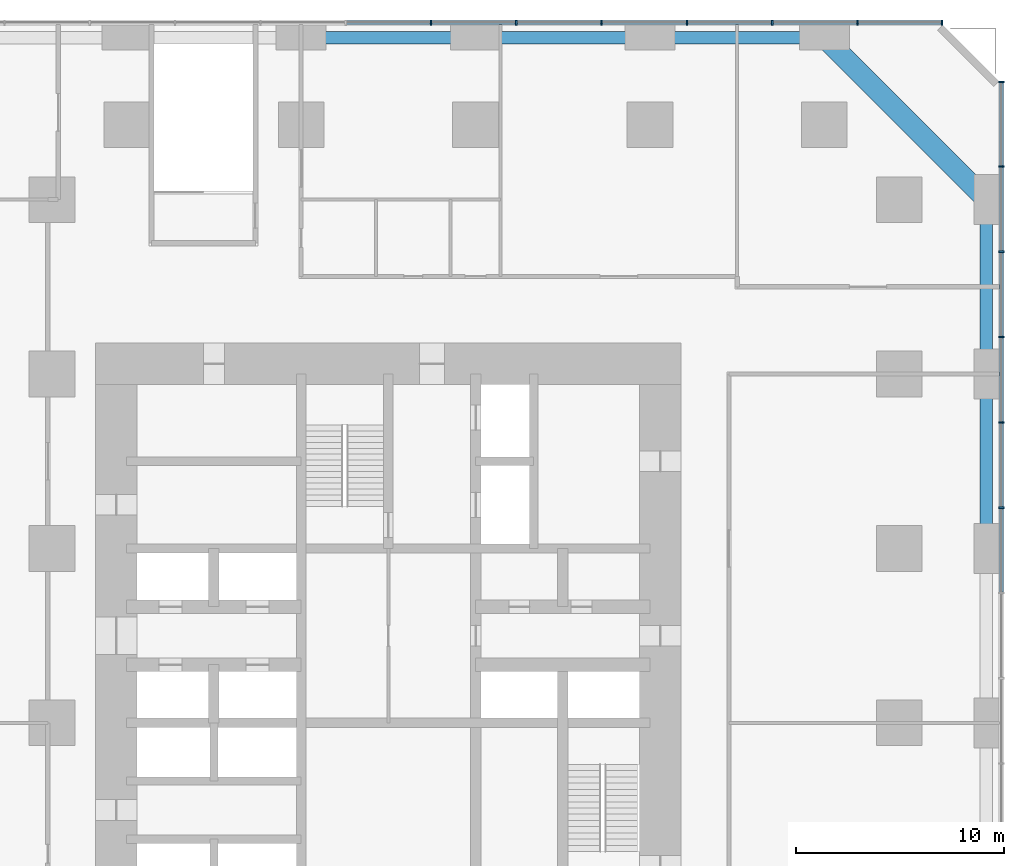
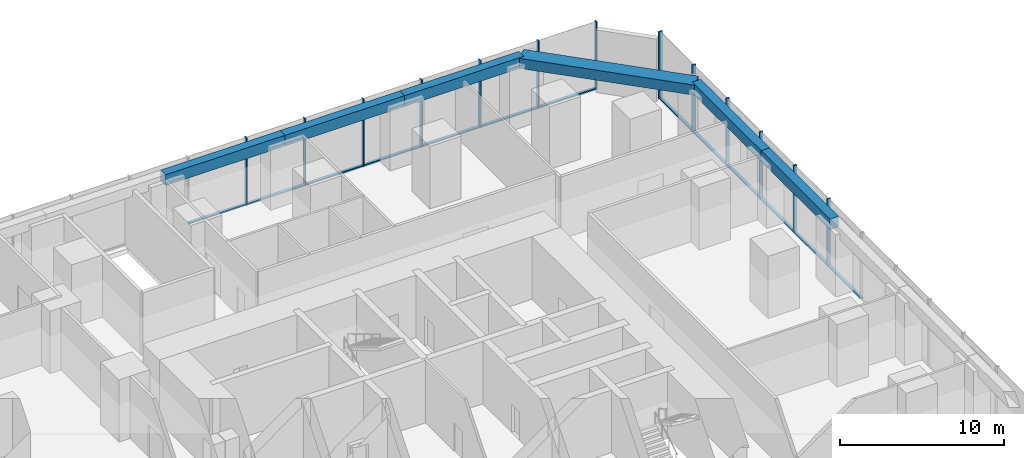
# One storey, part 5 of 12: 26 members, 6 beams, 2 elements without a shape of their own.
"""IFC4 building model written with IfcOpenShell, lengths in metres."""

from ifc_helpers import new_model, si_unit, direction, frame, origin, origin_2d, place, context, subcontext, project, spatial, rectangle, extrude, material, material_profile, profile_set, type_object, element, aggregate, save


model = new_model("IFC4")

# Units and contexts
model_context = context("Model", 3, precision=1e-05, world=origin(), true_north=direction((0.0, 1.0)))
body_context = subcontext(model_context, "Body", "Model", "MODEL_VIEW")
ifc_project = project(units=[si_unit("LENGTHUNIT", "METRE"), si_unit("AREAUNIT", "SQUARE_METRE"), si_unit("VOLUMEUNIT", "CUBIC_METRE"), si_unit("PLANEANGLEUNIT", "RADIAN"), si_unit("MASSUNIT", "GRAM", prefix="KILO")], contexts=[model_context])

# Site, building, storey
site_placement = place(None, origin())
site = spatial("IfcSite", under=ifc_project, at=site_placement, CompositionType="ELEMENT")
building_placement = place(site_placement, origin())
building = spatial("IfcBuilding", under=site, at=building_placement, Name="Dunama Terrace Hotel", CompositionType="ELEMENT")
storey_placement = place(building_placement, frame((0.0, 0.0, 22.0)))
storey = spatial("IfcBuildingStorey", under=building, at=storey_placement, Name="L04", CompositionType="ELEMENT", Elevation=22.0)

# Curtain wall, members
ifc_material_1 = material(Name="Aluminium curtain wall system", Category="aluminium")
curtain_wall_type = type_object("IfcCurtainWallType", Name="Podium storefront glazing CW-E", PredefinedType="NOTDEFINED", material=ifc_material_1)
curtain_wall_1_placement = place(storey_placement, origin())
curtain_wall_1 = element("IfcCurtainWall", 1, at=curtain_wall_1_placement, inside=storey, type_object=curtain_wall_type, Name="Podium storefront glazing CW-E L04", PredefinedType="NOTDEFINED")
ifc_material_2 = material(Name="Aluminium mullion", Category="aluminium")
ifc_material_profile_1 = material_profile(ifc_material_2, rectangle(XDim=0.080078125, YDim=0.25, at=origin_2d()), Name="CWE MULLION 80X250")
ifc_profile_set_1 = profile_set([ifc_material_profile_1], Name="Aluminium mullion")
member_type_1 = type_object("IfcMemberType", Name="CWE mullion 80x250", PredefinedType="MULLION", material=ifc_profile_set_1)
member_1_placement = place(storey_placement, frame((58.925048828125, 35.56201171875, 0.0), z_axis=(0.0, 0.0, 1.0), x_axis=(0.0, 1.0, 0.0)))
member_1 = element("IfcMember", 2, at=member_1_placement, type_object=member_type_1, Name="CWE mullion", PredefinedType="MULLION", context=body_context, shape_type="SweptSolid", body=[
    extrude(rectangle(XDim=0.080078125, YDim=0.25, at=origin_2d()), origin(), (0.0, 0.0, 1.0), 5.0),
])
member_2_placement = place(storey_placement, frame((58.925048828125, 39.6689453125, 0.0), z_axis=(0.0, 0.0, 1.0), x_axis=(0.0, 1.0, 0.0)))
member_2 = element("IfcMember", 3, at=member_2_placement, type_object=member_type_1, Name="CWE mullion", PredefinedType="MULLION", context=body_context, shape_type="SweptSolid", body=[
    extrude(rectangle(XDim=0.080078125, YDim=0.25, at=origin_2d()), origin(), (0.0, 0.0, 1.0), 5.0),
])
member_3_placement = place(storey_placement, frame((58.925048828125, 43.777099609375, 0.0), z_axis=(0.0, 0.0, 1.0), x_axis=(0.0, 1.0, 0.0)))
member_3 = element("IfcMember", 4, at=member_3_placement, type_object=member_type_1, Name="CWE mullion", PredefinedType="MULLION", context=body_context, shape_type="SweptSolid", body=[
    extrude(rectangle(XDim=0.080078125, YDim=0.25, at=origin_2d()), origin(), (0.0, 0.0, 1.0), 5.0),
])
member_4_placement = place(storey_placement, frame((58.925048828125, 47.885009765625, 0.0), z_axis=(0.0, 0.0, 1.0), x_axis=(0.0, 1.0, 0.0)))
member_4 = element("IfcMember", 5, at=member_4_placement, type_object=member_type_1, Name="CWE mullion", PredefinedType="MULLION", context=body_context, shape_type="SweptSolid", body=[
    extrude(rectangle(XDim=0.080078125, YDim=0.25, at=origin_2d()), origin(), (0.0, 0.0, 1.0), 5.0),
])
member_5_placement = place(storey_placement, frame((58.925048828125, 51.991943359375, 0.0), z_axis=(0.0, 0.0, 1.0), x_axis=(0.0, 1.0, 0.0)))
member_5 = element("IfcMember", 6, at=member_5_placement, type_object=member_type_1, Name="CWE mullion", PredefinedType="MULLION", context=body_context, shape_type="SweptSolid", body=[
    extrude(rectangle(XDim=0.080078125, YDim=0.25, at=origin_2d()), origin(), (0.0, 0.0, 1.0), 5.0),
])
member_6_placement = place(storey_placement, frame((58.925048828125, 56.06005859375, 0.0), z_axis=(0.0, 0.0, 1.0), x_axis=(0.0, 1.0, 0.0)))
member_6 = element("IfcMember", 7, at=member_6_placement, type_object=member_type_1, Name="CWE mullion", PredefinedType="MULLION", context=body_context, shape_type="SweptSolid", body=[
    extrude(rectangle(XDim=0.080078125, YDim=0.25, at=origin_2d()), origin(), (0.0, 0.0, 1.0), 5.0),
])

curtain_wall_2_placement = place(storey_placement, origin())
curtain_wall_2 = element("IfcCurtainWall", 8, at=curtain_wall_2_placement, inside=storey, type_object=curtain_wall_type, Name="Podium storefront glazing CW-E L04", PredefinedType="NOTDEFINED")
member_7_placement = place(storey_placement, frame((56.06005859375, 58.925048828125, 0.0), z_axis=(0.0, 0.0, 1.0), x_axis=(-1.0, 0.0, 0.0)))
member_7 = element("IfcMember", 9, at=member_7_placement, type_object=member_type_1, Name="CWE mullion", PredefinedType="MULLION", context=body_context, shape_type="SweptSolid", body=[
    extrude(rectangle(XDim=0.080078125, YDim=0.25, at=origin_2d()), origin(), (0.0, 0.0, 1.0), 5.0),
])
member_8_placement = place(storey_placement, frame((51.991943359375, 58.925048828125, 0.0), z_axis=(0.0, 0.0, 1.0), x_axis=(-1.0, 0.0, 0.0)))
member_8 = element("IfcMember", 10, at=member_8_placement, type_object=member_type_1, Name="CWE mullion", PredefinedType="MULLION", context=body_context, shape_type="SweptSolid", body=[
    extrude(rectangle(XDim=0.080078125, YDim=0.25, at=origin_2d()), origin(), (0.0, 0.0, 1.0), 5.0),
])
member_9_placement = place(storey_placement, frame((47.885009765625, 58.925048828125, 0.0), z_axis=(0.0, 0.0, 1.0), x_axis=(-1.0, 0.0, 0.0)))
member_9 = element("IfcMember", 11, at=member_9_placement, type_object=member_type_1, Name="CWE mullion", PredefinedType="MULLION", context=body_context, shape_type="SweptSolid", body=[
    extrude(rectangle(XDim=0.080078125, YDim=0.25, at=origin_2d()), origin(), (0.0, 0.0, 1.0), 5.0),
])
member_10_placement = place(storey_placement, frame((43.777099609375, 58.925048828125, 0.0), z_axis=(0.0, 0.0, 1.0), x_axis=(-1.0, 0.0, 0.0)))
member_10 = element("IfcMember", 12, at=member_10_placement, type_object=member_type_1, Name="CWE mullion", PredefinedType="MULLION", context=body_context, shape_type="SweptSolid", body=[
    extrude(rectangle(XDim=0.080078125, YDim=0.25, at=origin_2d()), origin(), (0.0, 0.0, 1.0), 5.0),
])
member_11_placement = place(storey_placement, frame((39.6689453125, 58.925048828125, 0.0), z_axis=(0.0, 0.0, 1.0), x_axis=(-1.0, 0.0, 0.0)))
member_11 = element("IfcMember", 13, at=member_11_placement, type_object=member_type_1, Name="CWE mullion", PredefinedType="MULLION", context=body_context, shape_type="SweptSolid", body=[
    extrude(rectangle(XDim=0.080078125, YDim=0.25, at=origin_2d()), origin(), (0.0, 0.0, 1.0), 5.0),
])
member_12_placement = place(storey_placement, frame((35.56201171875, 58.925048828125, 0.0), z_axis=(0.0, 0.0, 1.0), x_axis=(-1.0, 0.0, 0.0)))
member_12 = element("IfcMember", 14, at=member_12_placement, type_object=member_type_1, Name="CWE mullion", PredefinedType="MULLION", context=body_context, shape_type="SweptSolid", body=[
    extrude(rectangle(XDim=0.080078125, YDim=0.25, at=origin_2d()), origin(), (0.0, 0.0, 1.0), 5.0),
])
member_13_placement = place(storey_placement, frame((31.4541015625, 58.925048828125, 0.0), z_axis=(0.0, 0.0, 1.0), x_axis=(-1.0, 0.0, 0.0)))
member_13 = element("IfcMember", 15, at=member_13_placement, type_object=member_type_1, Name="CWE mullion", PredefinedType="MULLION", context=body_context, shape_type="SweptSolid", body=[
    extrude(rectangle(XDim=0.080078125, YDim=0.25, at=origin_2d()), origin(), (0.0, 0.0, 1.0), 5.0),
])

# Member
ifc_material_3 = material(Name="Aluminium transom", Category="aluminium")
ifc_material_profile_2 = material_profile(ifc_material_3, rectangle(XDim=0.199951171875, YDim=0.090087890625, at=origin_2d()), Name="CWE TRANSOM 200X90")
ifc_profile_set_2 = profile_set([ifc_material_profile_2], Name="Aluminium transom")
member_type_2 = type_object("IfcMemberType", Name="CWE transom 200x90", PredefinedType="USERDEFINED", material=ifc_profile_set_2)
member_14_placement = place(storey_placement, frame((58.925048828125, 31.493896484375, 0.044921875), z_axis=(0.0, 1.0, 0.0), x_axis=(-1.0, 0.0, 0.0)))
member_14 = element("IfcMember", 16, at=member_14_placement, type_object=member_type_2, Name="CWE transom", ObjectType="TRANSOM", PredefinedType="USERDEFINED", context=body_context, shape_type="SweptSolid", body=[
    extrude(rectangle(XDim=0.199951171875, YDim=0.090087890625, at=origin_2d()), origin(), (0.0, 0.0, 1.0), 4.028076171875),
])

member_15_placement = place(storey_placement, frame((58.925048828125, 35.60205078125, 0.044921875), z_axis=(0.0, 1.0, 0.0), x_axis=(-1.0, 0.0, 0.0)))
member_15 = element("IfcMember", 17, at=member_15_placement, type_object=member_type_2, Name="CWE transom", ObjectType="TRANSOM", PredefinedType="USERDEFINED", context=body_context, shape_type="SweptSolid", body=[
    extrude(rectangle(XDim=0.199951171875, YDim=0.090087890625, at=origin_2d()), origin(), (0.0, 0.0, 1.0), 4.02685546875),
])

member_16_placement = place(storey_placement, frame((58.925048828125, 39.708984375, 0.044921875), z_axis=(0.0, 1.0, 0.0), x_axis=(-1.0, 0.0, 0.0)))
member_16 = element("IfcMember", 18, at=member_16_placement, type_object=member_type_2, Name="CWE transom", ObjectType="TRANSOM", PredefinedType="USERDEFINED", context=body_context, shape_type="SweptSolid", body=[
    extrude(rectangle(XDim=0.199951171875, YDim=0.090087890625, at=origin_2d()), origin(), (0.0, 0.0, 1.0), 4.028076171875),
])

member_17_placement = place(storey_placement, frame((58.925048828125, 43.81689453125, 0.044921875), z_axis=(0.0, 1.0, 0.0), x_axis=(-1.0, 0.0, 0.0)))
member_17 = element("IfcMember", 19, at=member_17_placement, type_object=member_type_2, Name="CWE transom", ObjectType="TRANSOM", PredefinedType="USERDEFINED", context=body_context, shape_type="SweptSolid", body=[
    extrude(rectangle(XDim=0.199951171875, YDim=0.090087890625, at=origin_2d()), origin(), (0.0, 0.0, 1.0), 4.028076171875),
])

member_18_placement = place(storey_placement, frame((58.925048828125, 47.925048828125, 0.044921875), z_axis=(0.0, 1.0, 0.0), x_axis=(-1.0, 0.0, 0.0)))
member_18 = element("IfcMember", 20, at=member_18_placement, type_object=member_type_2, Name="CWE transom", ObjectType="TRANSOM", PredefinedType="USERDEFINED", context=body_context, shape_type="SweptSolid", body=[
    extrude(rectangle(XDim=0.199951171875, YDim=0.090087890625, at=origin_2d()), origin(), (0.0, 0.0, 1.0), 4.02685546875),
])

member_19_placement = place(storey_placement, frame((58.925048828125, 52.031982421875, 0.044921875), z_axis=(0.0, 1.0, 0.0), x_axis=(-1.0, 0.0, 0.0)))
member_19 = element("IfcMember", 21, at=member_19_placement, type_object=member_type_2, Name="CWE transom", ObjectType="TRANSOM", PredefinedType="USERDEFINED", context=body_context, shape_type="SweptSolid", body=[
    extrude(rectangle(XDim=0.199951171875, YDim=0.090087890625, at=origin_2d()), origin(), (0.0, 0.0, 1.0), 3.988037109375),
])

aggregate(curtain_wall_1, [member_1, member_2, member_3, member_4, member_5, member_6, member_14, member_15, member_16, member_17, member_18, member_19])

member_20_placement = place(storey_placement, frame((56.02001953125, 58.925048828125, 0.044921875), z_axis=(-1.0, 0.0, 0.0), x_axis=(0.0, -1.0, 0.0)))
member_20 = element("IfcMember", 22, at=member_20_placement, type_object=member_type_2, Name="CWE transom", ObjectType="TRANSOM", PredefinedType="USERDEFINED", context=body_context, shape_type="SweptSolid", body=[
    extrude(rectangle(XDim=0.199951171875, YDim=0.090087890625, at=origin_2d()), origin(), (0.0, 0.0, 1.0), 3.988037109375),
])

member_21_placement = place(storey_placement, frame((51.951904296875, 58.925048828125, 0.044921875), z_axis=(-1.0, 0.0, 0.0), x_axis=(0.0, -1.0, 0.0)))
member_21 = element("IfcMember", 23, at=member_21_placement, type_object=member_type_2, Name="CWE transom", ObjectType="TRANSOM", PredefinedType="USERDEFINED", context=body_context, shape_type="SweptSolid", body=[
    extrude(rectangle(XDim=0.199951171875, YDim=0.090087890625, at=origin_2d()), origin(), (0.0, 0.0, 1.0), 4.02685546875),
])

member_22_placement = place(storey_placement, frame((47.844970703125, 58.925048828125, 0.044921875), z_axis=(-1.0, 0.0, 0.0), x_axis=(0.0, -1.0, 0.0)))
member_22 = element("IfcMember", 24, at=member_22_placement, type_object=member_type_2, Name="CWE transom", ObjectType="TRANSOM", PredefinedType="USERDEFINED", context=body_context, shape_type="SweptSolid", body=[
    extrude(rectangle(XDim=0.199951171875, YDim=0.090087890625, at=origin_2d()), origin(), (0.0, 0.0, 1.0), 4.028076171875),
])

member_23_placement = place(storey_placement, frame((43.737060546875, 58.925048828125, 0.044921875), z_axis=(-1.0, 0.0, 0.0), x_axis=(0.0, -1.0, 0.0)))
member_23 = element("IfcMember", 25, at=member_23_placement, type_object=member_type_2, Name="CWE transom", ObjectType="TRANSOM", PredefinedType="USERDEFINED", context=body_context, shape_type="SweptSolid", body=[
    extrude(rectangle(XDim=0.199951171875, YDim=0.090087890625, at=origin_2d()), origin(), (0.0, 0.0, 1.0), 4.028076171875),
])

member_24_placement = place(storey_placement, frame((39.62890625, 58.925048828125, 0.044921875), z_axis=(-1.0, 0.0, 0.0), x_axis=(0.0, -1.0, 0.0)))
member_24 = element("IfcMember", 26, at=member_24_placement, type_object=member_type_2, Name="CWE transom", ObjectType="TRANSOM", PredefinedType="USERDEFINED", context=body_context, shape_type="SweptSolid", body=[
    extrude(rectangle(XDim=0.199951171875, YDim=0.090087890625, at=origin_2d()), origin(), (0.0, 0.0, 1.0), 4.02685546875),
])

member_25_placement = place(storey_placement, frame((35.52197265625, 58.925048828125, 0.044921875), z_axis=(-1.0, 0.0, 0.0), x_axis=(0.0, -1.0, 0.0)))
member_25 = element("IfcMember", 27, at=member_25_placement, type_object=member_type_2, Name="CWE transom", ObjectType="TRANSOM", PredefinedType="USERDEFINED", context=body_context, shape_type="SweptSolid", body=[
    extrude(rectangle(XDim=0.199951171875, YDim=0.090087890625, at=origin_2d()), origin(), (0.0, 0.0, 1.0), 4.028076171875),
])

member_26_placement = place(storey_placement, frame((31.4140625, 58.925048828125, 0.044921875), z_axis=(-1.0, 0.0, 0.0), x_axis=(0.0, -1.0, 0.0)))
member_26 = element("IfcMember", 28, at=member_26_placement, type_object=member_type_2, Name="CWE transom", ObjectType="TRANSOM", PredefinedType="USERDEFINED", context=body_context, shape_type="SweptSolid", body=[
    extrude(rectangle(XDim=0.199951171875, YDim=0.090087890625, at=origin_2d()), origin(), (0.0, 0.0, 1.0), 4.028076171875),
])

aggregate(curtain_wall_2, [member_7, member_8, member_9, member_10, member_11, member_12, member_13, member_20, member_21, member_22, member_23, member_24, member_25, member_26])

# Beams
ifc_material_4 = material(Name="Concrete C50/60", Category="concrete")
ifc_material_profile_3 = material_profile(ifc_material_4, rectangle(XDim=1.0, YDim=0.75, at=origin_2d()), Name="RC 1000x750")
ifc_profile_set_3 = profile_set([ifc_material_profile_3], Name="Concrete C50/60")
beam_type_1 = type_object("IfcBeamType", Name="Edge beam RC 1000x750", PredefinedType="SPANDREL", material=ifc_profile_set_3)
beam_1_placement = place(storey_placement, frame((50.39990234375, 58.199951171875, 4.625), z_axis=(0.707106781187, -0.707106781187, 0.0), x_axis=(0.707106781187, 0.707106781187, 0.0)))
element("IfcBeam", 29, at=beam_1_placement, inside=storey, type_object=beam_type_1, Name="Corner edge beam under L05", PredefinedType="SPANDREL", context=body_context, shape_type="SweptSolid", body=[
    extrude(rectangle(XDim=1.0, YDim=0.75, at=origin_2d()), origin(), (0.0, 0.0, 1.0), 11.031005859375),
])
ifc_material_5 = material(Name="Concrete C40/50", Category="concrete")
ifc_material_profile_4 = material_profile(ifc_material_5, rectangle(XDim=0.60009765625, YDim=0.800048828125, at=origin_2d()), Name="RC 600x800")
ifc_profile_set_4 = profile_set([ifc_material_profile_4], Name="Concrete C40/50")
beam_type_2 = type_object("IfcBeamType", Name="Edge beam RC 600x800", PredefinedType="SPANDREL", material=ifc_profile_set_4)
for number, where, z_axis, x_axis, name in (
    (30, (58.199951171875, 33.60009765625, 4.60009765625), (0.0, 1.0, 0.0), (-1.0, 0.0, 0.0), "Edge beam under L05"),
    (31, (58.199951171875, 42.0, 4.60009765625), (0.0, 1.0, 0.0), (-1.0, 0.0, 0.0), "Edge beam under L05"),
):
    element("IfcBeam", number, at=place(storey_placement, frame(where, z_axis=z_axis, x_axis=x_axis)), inside=storey, type_object=beam_type_2, Name=name, PredefinedType="SPANDREL", context=body_context, shape_type="SweptSolid", body=[
        extrude(rectangle(XDim=0.60009765625, YDim=0.800048828125, at=origin_2d()), origin(), (0.0, 0.0, 1.0), 8.39990234375),
    ])
beam_2_placement = place(storey_placement, frame((25.199951171875, 58.199951171875, 4.60009765625), z_axis=(1.0, 0.0, 0.0), x_axis=(0.0, 1.0, 0.0)))
element("IfcBeam", 32, at=beam_2_placement, inside=storey, type_object=beam_type_2, Name="Edge beam under L05", PredefinedType="SPANDREL", context=body_context, shape_type="SweptSolid", body=[
    extrude(rectangle(XDim=0.60009765625, YDim=0.800048828125, at=origin_2d()), origin(), (0.0, 0.0, 1.0), 8.400146484375),
])
for number, where, z_axis, x_axis, name in (
    (33, (33.60009765625, 58.199951171875, 4.60009765625), (1.0, 0.0, 0.0), (0.0, 1.0, 0.0), "Edge beam under L05"),
    (34, (42.0, 58.199951171875, 4.60009765625), (1.0, 0.0, 0.0), (0.0, 1.0, 0.0), "Edge beam under L05"),
):
    element("IfcBeam", number, at=place(storey_placement, frame(where, z_axis=z_axis, x_axis=x_axis)), inside=storey, type_object=beam_type_2, Name=name, PredefinedType="SPANDREL", context=body_context, shape_type="SweptSolid", body=[
        extrude(rectangle(XDim=0.60009765625, YDim=0.800048828125, at=origin_2d()), origin(), (0.0, 0.0, 1.0), 8.39990234375),
    ])

save(model, "model.ifc")
